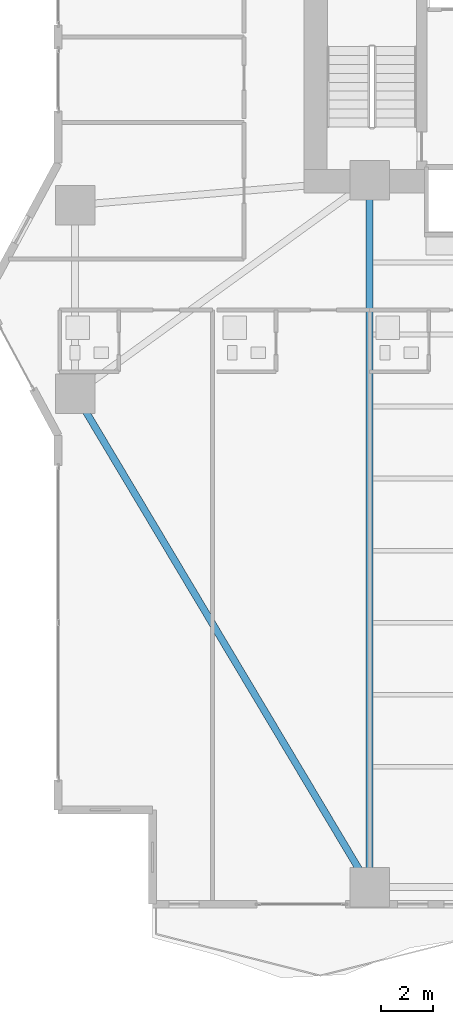
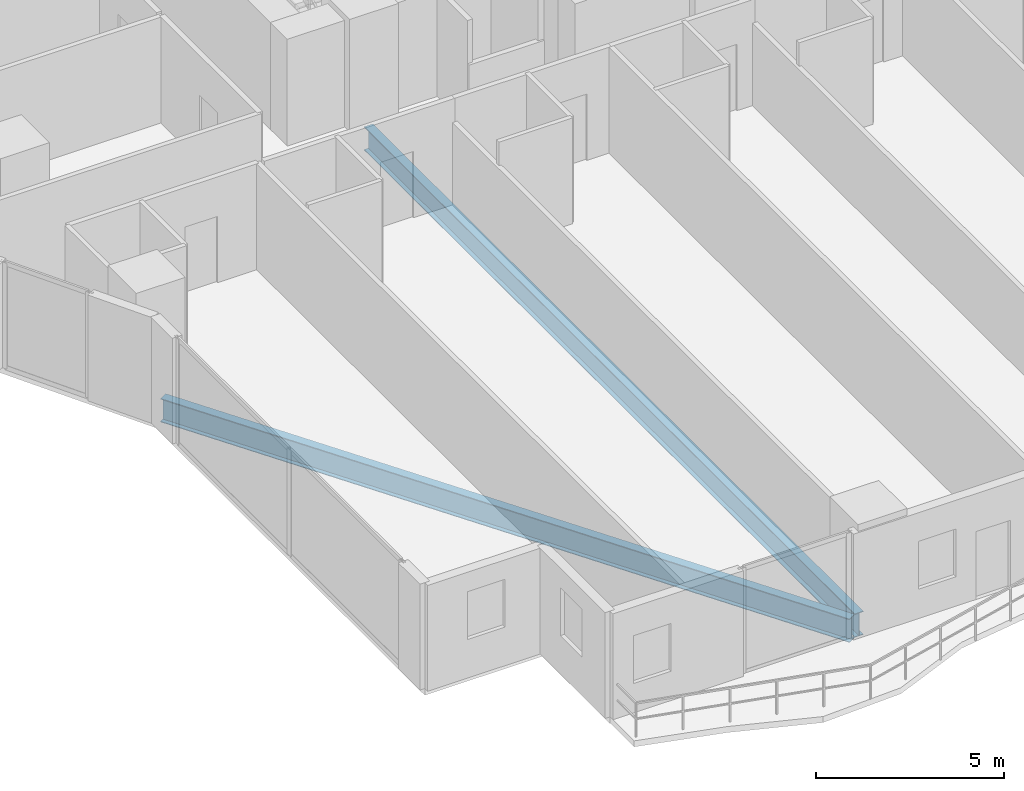
# One storey, part 3 of 29: 2 beams.
"""IFC4 building model written with IfcOpenShell, lengths in metres."""

from ifc_helpers import new_model, si_unit, direction, frame, origin, origin_2d, place, context, subcontext, project, spatial, i_section, extrude, material, material_profile, profile_set, type_object, element, save


model = new_model("IFC4")

# Units and contexts
model_context = context("Model", 3, precision=1e-05, world=origin(), true_north=direction((0.0, 1.0)))
body_context = subcontext(model_context, "Body", "Model", "MODEL_VIEW")
ifc_project = project(units=[si_unit("LENGTHUNIT", "METRE"), si_unit("AREAUNIT", "SQUARE_METRE"), si_unit("VOLUMEUNIT", "CUBIC_METRE"), si_unit("PLANEANGLEUNIT", "RADIAN"), si_unit("MASSUNIT", "GRAM", prefix="KILO")], contexts=[model_context])

# Site, building, storey
site_placement = place(None, origin())
site = spatial("IfcSite", under=ifc_project, at=site_placement, CompositionType="ELEMENT")
building_placement = place(site_placement, origin())
building = spatial("IfcBuilding", under=site, at=building_placement, Name="Zuhayl Quay Hotel", CompositionType="ELEMENT")
storey_placement = place(building_placement, frame((0.0, 0.0, 60.449951171875)))
storey = spatial("IfcBuildingStorey", under=building, at=storey_placement, Name="L14", CompositionType="ELEMENT", Elevation=60.449951171875)

# Beams
ifc_material = material(Name="Steel ASTM A992 Grade 50", Category="steel")
ifc_material_profile = material_profile(ifc_material, i_section(OverallWidth=0.26708984375, OverallDepth=0.761962890625, WebThickness=0.014404296875, FlangeThickness=0.021484375, at=origin_2d()), Name="W30X116")
ifc_profile_set = profile_set([ifc_material_profile], Name="Steel ASTM A992 Grade 50")
beam_type = type_object("IfcBeamType", Name="BM_B1_W30X116", PredefinedType="BEAM", material=ifc_profile_set)
beam_1_placement = place(storey_placement, frame((-24.793701171875, -4.029296875, -0.600830078125), z_axis=(0.512482593247, -0.85869761361, 0.0), x_axis=(0.85869761361, 0.512482593247, 0.0)))
element("IfcBeam", 1, at=beam_1_placement, inside=storey, type_object=beam_type, Name="L14 Floor Beam RG_L14_12", PredefinedType="BEAM", context=body_context, shape_type="SweptSolid", body=[
    extrude(i_section(OverallWidth=0.26708984375, OverallDepth=0.761962890625, WebThickness=0.014404296875, FlangeThickness=0.021484375, at=origin_2d()), origin(), (0.0, 0.0, 1.0), 20.9521484375),
])
beam_2_placement = place(storey_placement, frame((-13.800048828125, -21.949951171875, -0.600830078125), z_axis=(0.0, 1.0, 0.0), x_axis=(-1.0, 0.0, 0.0)))
element("IfcBeam", 2, at=beam_2_placement, inside=storey, type_object=beam_type, Name="L14 Floor Beam FG_S_L14_1", PredefinedType="BEAM", context=body_context, shape_type="SweptSolid", body=[
    extrude(i_section(OverallWidth=0.26708984375, OverallDepth=0.761962890625, WebThickness=0.014404296875, FlangeThickness=0.021484375, at=origin_2d()), origin(), (0.0, 0.0, 1.0), 26.050048828125),
])

save(model, "model.ifc")
